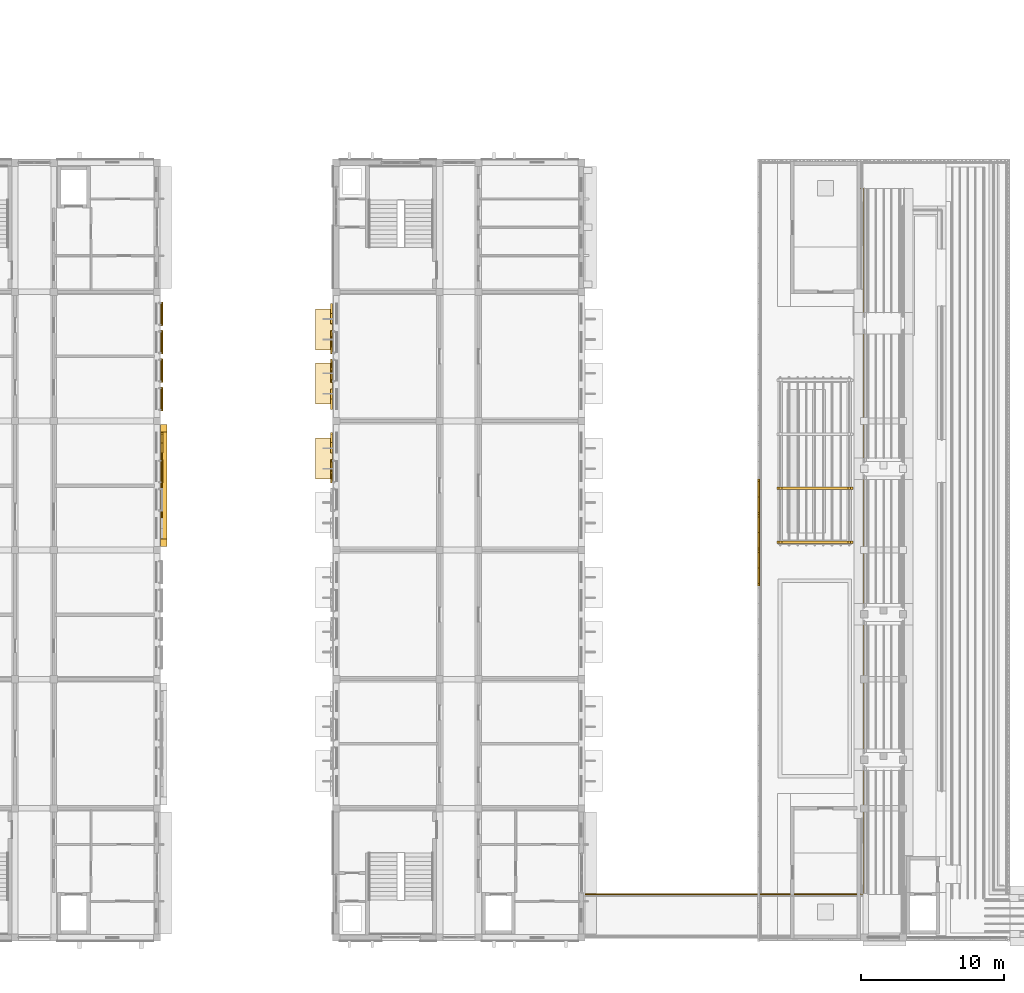
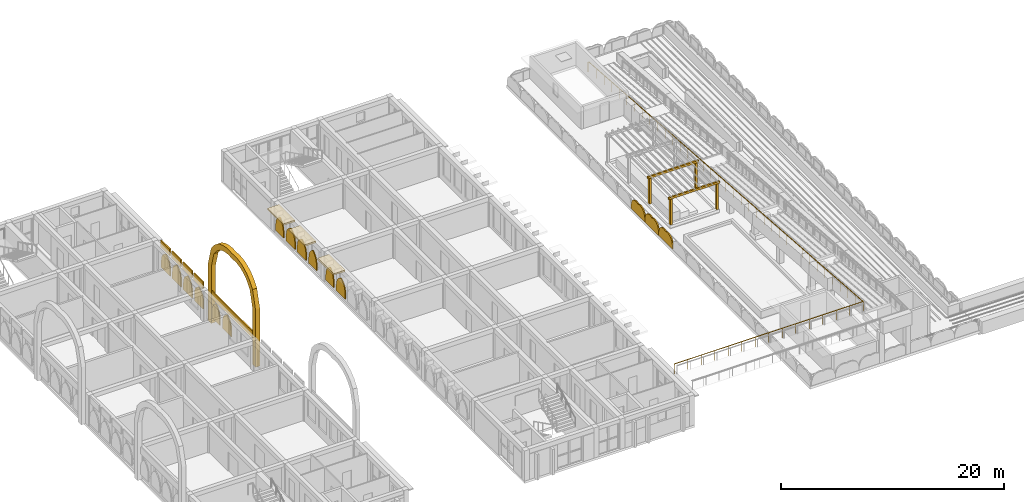
# One storey, part 59 of 65: 15 coverings, 15 shading devices, 1 railing.
"""IFC4 building model written with IfcOpenShell, lengths in metres."""

from ifc_helpers import new_model, si_unit, direction, frame, origin, origin_2d, place, context, subcontext, project, spatial, polyline, rectangle, circle, outline, extrude, material, layer, layer_set, type_object, element, save


model = new_model("IFC4")

# Units and contexts
model_context = context("Model", 3, precision=1e-05, world=origin(), true_north=direction((0.0, 1.0)))
body_context = subcontext(model_context, "Body", "Model", "MODEL_VIEW")
ifc_project = project(units=[si_unit("LENGTHUNIT", "METRE"), si_unit("AREAUNIT", "SQUARE_METRE"), si_unit("VOLUMEUNIT", "CUBIC_METRE"), si_unit("PLANEANGLEUNIT", "RADIAN"), si_unit("MASSUNIT", "GRAM", prefix="KILO")], contexts=[model_context])

# Site, building, storey
site_placement = place(None, origin())
site = spatial("IfcSite", under=ifc_project, at=site_placement, CompositionType="ELEMENT")
building_placement = place(site_placement, origin())
building = spatial("IfcBuilding", under=site, at=building_placement, Name="Elbe Cascade School", CompositionType="ELEMENT")
storey_placement = place(building_placement, frame((0.0, 0.0, 11.699951171875)))
storey = spatial("IfcBuildingStorey", under=building, at=storey_placement, Name="L03", CompositionType="ELEMENT", Elevation=11.699951171875)

# Shading devices
ifc_material_1 = material(Name="Precast concrete C40/50", Category="concrete")
ifc_layer_1 = layer(ifc_material_1, 0.1201171875)
ifc_layer_set_1 = layer_set([ifc_layer_1], Name="Precast concrete C40/50")
shading_device_type_1 = type_object("IfcShadingDeviceType", Name="Bars envelope Attic jali screen, pointed arch top, pierced precast concrete, 1200 high", PredefinedType="USERDEFINED", material=ifc_layer_set_1)
shading_device_1_placement = place(storey_placement, frame((127.97998046875, 30.522705078125, 0.400146484375), z_axis=(-1.0, 0.0, 0.0), x_axis=(0.0, 0.296914729778, 0.954903996871)))
element("IfcShadingDevice", 1, at=shading_device_1_placement, inside=storey, type_object=shading_device_type_1, Name="Attic jali screen SD1 C.L03.w11", ObjectType="JALI", PredefinedType="USERDEFINED", context=body_context, shape_type="SweptSolid", body=[
    extrude(outline(polyline([(0.0, 0.0), (0.5213118135497831, 2.7755575615628914e-17), (0.7307670272254834, 0.09722334288068585), (0.8772044201284606, 0.2137855707816544), (0.9847089596433677, 0.3424534529484574), (1.0619064875388193, 0.48054489831620933), (1.1125270975525943, 0.6269000837217165), (1.1363376588260814, 0.7815914981126785), (1.131545613438091, 0.9454321839293035), (1.2283261334568831, 1.0774345576902884), (1.296431557866498, 1.218353072018325), (1.337726933535825, 1.3676078153318163), (1.3524453913234755, 1.5251262986830632), (1.3368568374916705, 1.692068345235259), (1.2823354302717953, 1.871116046053289), (1.1649411801745964, 2.069968893608824), (0.7355453523079154, 2.365578822327823), (0.3534438750441624, 2.4843882076074792), (-0.382101477263753, 0.11880938527965638), (0.0, 0.0)])), origin(), (0.0, 0.0, -1.0), 0.1201171875),
])
shading_device_2_placement = place(storey_placement, frame((127.97998046875, 33.0, 0.400146484375), z_axis=(-1.0, 0.0, 0.0), x_axis=(0.0, 0.296914729778, 0.954903996871)))
element("IfcShadingDevice", 2, at=shading_device_2_placement, inside=storey, type_object=shading_device_type_1, Name="Attic jali screen SD1 C.L03.w12", ObjectType="JALI", PredefinedType="USERDEFINED", context=body_context, shape_type="SweptSolid", body=[
    extrude(outline(polyline([(0.0, 0.0), (0.5213118135497831, 2.7755575615628914e-17), (0.7307670272254834, 0.09722334288068585), (0.8772044201284606, 0.2137855707816544), (0.9847089596433677, 0.3424534529484574), (1.0619064875388193, 0.48054489831620933), (1.1125270975525943, 0.6269000837217165), (1.1363376588260814, 0.7815914981126785), (1.1314731244903915, 0.9451990530706923), (1.2283261334568831, 1.0774345576902884), (1.296431557866498, 1.218353072018325), (1.337726933535825, 1.3676078153318163), (1.3524453913234755, 1.5251262986830632), (1.3368568374916705, 1.692068345235259), (1.2823354302717953, 1.871116046053289), (1.1649411801745964, 2.069968893608824), (0.7355453523079154, 2.365578822327823), (0.3534438750441624, 2.4843882076074792), (-0.382101477263753, 0.11880938527965638), (0.0, 0.0)])), origin(), (0.0, 0.0, -1.0), 0.1201171875),
])
shading_device_3_placement = place(storey_placement, frame((127.97998046875, 35.477294921875, 0.400146484375), z_axis=(-1.0, 0.0, 0.0), x_axis=(0.0, 0.296914729778, 0.954903996871)))
element("IfcShadingDevice", 3, at=shading_device_3_placement, inside=storey, type_object=shading_device_type_1, Name="Attic jali screen SD1 C.L03.w13", ObjectType="JALI", PredefinedType="USERDEFINED", context=body_context, shape_type="SweptSolid", body=[
    extrude(outline(polyline([(0.0, 0.0), (0.5213118135497831, 2.7755575615628914e-17), (0.7306945382777837, 0.09699021202207464), (0.8772044201284606, 0.2137855707816544), (0.9847089596433677, 0.3424534529484574), (1.0619064875388193, 0.48054489831620933), (1.1125270975525943, 0.6269000837217165), (1.1363376588260814, 0.7815914981126785), (1.1314731244903915, 0.9451990530706923), (1.2282536445091836, 1.0772014268316772), (1.296431557866498, 1.218353072018325), (1.337726933535825, 1.3676078153318163), (1.3524453913234755, 1.5251262986830632), (1.3368568374916705, 1.692068345235259), (1.2824079192194948, 1.8713491769119002), (1.1649411801745964, 2.069968893608824), (0.7355453523079154, 2.365578822327823), (0.3534438750441624, 2.4843882076074792), (-0.382101477263753, 0.11880938527965638), (0.0, 0.0)])), origin(), (0.0, 0.0, -1.0), 0.1201171875),
])
ifc_material_2 = material(Name="Precast concrete C40/50", Category="concrete")
ifc_layer_2 = layer(ifc_material_2, 0.10009765625)
ifc_layer_set_2 = layer_set([ifc_layer_2], Name="Precast concrete C40/50")
shading_device_type_2 = type_object("IfcShadingDeviceType", Name="Bars envelope Jali screen 1400 x 1840, pointed arch rise 1200, pierced precast concrete", PredefinedType="USERDEFINED", material=ifc_layer_set_2)
shading_device_4_placement = place(storey_placement, frame((98.199951171875, 39.77001953125, 1.239990234375), z_axis=(-1.0, 0.0, 0.0), x_axis=(0.0, 0.17792317593, 0.984044380842)))
element("IfcShadingDevice", 4, at=shading_device_4_placement, inside=storey, type_object=shading_device_type_2, Name="Jali screen SD6 B.L03.w4.4", ObjectType="JALI", PredefinedType="USERDEFINED", context=body_context, shape_type="SweptSolid", body=[
    extrude(outline(polyline([(0.0, 0.0), (0.49123641871346896, 0.0), (0.6927805522414701, 0.052626805310662106), (0.8431090177286255, 0.11426571806572286), (0.9656124771118364, 0.18118371597428135), (1.069333371826684, 0.25124965415180983), (1.1586395539315395, 0.3239218888517511), (1.236937894644108, 0.3988325294290419), (1.305342743464475, 0.47528389408648153), (1.26808313808694, 0.5710883451184476), (1.2209300408172035, 0.6684335202305626), (1.1627256638798062, 0.7677768560098606), (1.0901500126077905, 0.8699667335217378), (0.9987917966674117, 0.9753045513025852), (0.8796085746230882, 1.0859214542369302), (0.7092096845379191, 1.2055504646156736), (0.24907507099190854, 1.377566035094913), (-0.38060762485458033, 1.491417754848975), (-0.6296826958464888, 0.11385171975406214), (0.0, 0.0)])), origin(), (0.0, 0.0, -1.0), 0.10009765625),
])
shading_device_5_placement = place(storey_placement, frame((98.199951171875, 42.830078125, 1.239990234375), z_axis=(-1.0, 0.0, 0.0), x_axis=(0.0, 0.17792317593, 0.984044380842)))
element("IfcShadingDevice", 5, at=shading_device_5_placement, inside=storey, type_object=shading_device_type_2, Name="Jali screen SD6 B.L03.w5.1", ObjectType="JALI", PredefinedType="USERDEFINED", context=body_context, shape_type="SweptSolid", body=[
    extrude(outline(polyline([(0.0, 0.0), (0.49123641871346896, 0.0), (0.6927371139660965, 0.05238656010049558), (0.8431090177286255, 0.11426571806572286), (0.9655690388364628, 0.18094347076411482), (1.069333371826684, 0.25124965415180983), (1.1586395539315395, 0.3239218888517511), (1.2368944563687345, 0.3985922842188754), (1.305342743464475, 0.47528389408648153), (1.2680396998115664, 0.5708480999082811), (1.2209300408172035, 0.6684335202305626), (1.1627256638798062, 0.7677768560098606), (1.090106574332417, 0.8697264883115714), (0.9987917966674117, 0.9753045513025852), (0.8795651363477146, 1.0856812090267636), (0.7092096845379191, 1.2055504646156736), (0.24907507099190854, 1.377566035094913), (-0.38060762485458033, 1.491417754848975), (-0.6296826958464888, 0.11385171975406214), (0.0, 0.0)])), origin(), (0.0, 0.0, -1.0), 0.10009765625),
])
shading_device_6_placement = place(storey_placement, frame((98.199951171875, 48.77001953125, 1.239990234375), z_axis=(-1.0, 0.0, 0.0), x_axis=(0.0, 0.17792317593, 0.984044380842)))
element("IfcShadingDevice", 6, at=shading_device_6_placement, inside=storey, type_object=shading_device_type_2, Name="Jali screen SD6 B.L03.w5.4", ObjectType="JALI", PredefinedType="USERDEFINED", context=body_context, shape_type="SweptSolid", body=[
    extrude(outline(polyline([(0.0, 0.0), (0.49123641871346896, 0.0), (0.6927805522414701, 0.052626805310662106), (0.8431090177286255, 0.11426571806572286), (0.9656124771118364, 0.18118371597428135), (1.069333371826684, 0.25124965415180983), (1.1586395539315395, 0.3239218888517511), (1.236937894644108, 0.3988325294290419), (1.305342743464475, 0.47528389408648153), (1.26808313808694, 0.5710883451184476), (1.2209300408172035, 0.6684335202305626), (1.1627256638798062, 0.7677768560098606), (1.0901500126077905, 0.8699667335217378), (0.9987917966674117, 0.9753045513025852), (0.8796085746230882, 1.0859214542369302), (0.7092096845379191, 1.2055504646156736), (0.24907507099190854, 1.377566035094913), (-0.38060762485458033, 1.491417754848975), (-0.6296826958464888, 0.11385171975406214), (0.0, 0.0)])), origin(), (0.0, 0.0, -1.0), 0.10009765625),
])
ifc_material_3 = material(Name="Precast concrete C40/50", Category="concrete")
ifc_layer_3 = layer(ifc_material_3, 0.10009765625)
ifc_layer_set_3 = layer_set([ifc_layer_3], Name="Precast concrete C40/50")
shading_device_type_3 = type_object("IfcShadingDeviceType", Name="Bars envelope Jali screen 1400 x 1940, pointed arch rise 1200, pierced precast concrete", PredefinedType="USERDEFINED", material=ifc_layer_set_3)
shading_device_7_placement = place(storey_placement, frame((86.5, 39.77001953125, 0.60009765625), z_axis=(1.0, 0.0, 0.0), x_axis=(0.0, 1.0, 0.0)))
element("IfcShadingDevice", 7, at=shading_device_7_placement, inside=storey, type_object=shading_device_type_3, Name="Jali screen SD5 A.L03.e4.4", ObjectType="JALI", PredefinedType="USERDEFINED", context=body_context, shape_type="SweptSolid", body=[
    extrude(outline(polyline([(0.0, 0.0), (1.39990234375, 0.0), (1.39990234375, 0.739990234375), (1.3125, 1.22314453125), (1.22509765625, 1.412109375), (1.137451171875, 1.549072265625), (1.050048828125, 1.657958984375), (0.96240234375, 1.747314453125), (0.875, 1.822509765625), (0.78759765625, 1.885986328125), (0.699951171875, 1.93994140625), (0.612548828125, 1.885986328125), (0.52490234375, 1.822509765625), (0.4375, 1.747314453125), (0.35009765625, 1.657958984375), (0.262451171875, 1.549072265625), (0.175048828125, 1.412109375), (0.08740234375, 1.22314453125), (0.0, 0.739990234375), (0.0, 0.0)])), origin(), (0.0, 0.0, -1.0), 0.10009765625),
])
ifc_material_4 = material(Name="Precast concrete C40/50", Category="concrete")
ifc_layer_4 = layer(ifc_material_4, 0.10009765625)
ifc_layer_set_4 = layer_set([ifc_layer_4], Name="Precast concrete C40/50")
shading_device_type_4 = type_object("IfcShadingDeviceType", Name="Bars envelope Jali screen 1600 x 1840, pointed arch rise 1200, pierced precast concrete", PredefinedType="USERDEFINED", material=ifc_layer_set_4)
for number, where, z_axis, x_axis, name in (
    (8, (98.199951171875, 37.68994140625, 1.239990234375), (-1.0, 0.0, 0.0), (0.0, 0.196300278283, 0.98054382908), "Jali screen SD7 B.L03.w4.3"),
    (9, (98.199951171875, 44.7099609375, 1.239990234375), (-1.0, 0.0, 0.0), (0.0, 0.196300278283, 0.98054382908), "Jali screen SD7 B.L03.w5.2"),
    (10, (98.199951171875, 46.68994140625, 1.239990234375), (-1.0, 0.0, 0.0), (0.0, 0.196300278283, 0.98054382908), "Jali screen SD7 B.L03.w5.3"),
):
    element("IfcShadingDevice", number, at=place(storey_placement, frame(where, z_axis=z_axis, x_axis=x_axis)), inside=storey, type_object=shading_device_type_4, Name=name, ObjectType="JALI", PredefinedType="USERDEFINED", context=body_context, shape_type="SweptSolid", body=[
        extrude(outline(polyline([(0.0, 0.0), (0.509921112317134, 0.0), (0.7186409460062186, 0.06005009918221829), (0.8735458233318658, 0.1311226852889124), (0.9985268777485877, 0.20818588047405348), (1.102872417131342, 0.2891312241218946), (1.1919448840573539, 0.37338315020117196), (1.268281725197354, 0.45993570394643946), (1.3336545243794973, 0.5489321924158467), (1.3075801207519657, 0.6562359822289878), (1.270445825421322, 0.7655049255997259), (1.220671754049922, 0.877553277802997), (1.1555287604765243, 0.9924294312711612), (1.069846101614414, 1.1116665143685687), (0.9542396198433787, 1.2368942065444228), (0.7847223319636507, 1.37266560447821), (0.31409961520112845, 1.5689658827607584), (-0.3133431035532121, 1.6945769739176333), (-0.6274427187543405, 0.12561109115687483), (0.0, 0.0)])), origin(), (0.0, 0.0, -1.0), 0.10009765625),
    ])
ifc_material_5 = material(Name="Precast concrete C40/50", Category="concrete")
ifc_layer_5 = layer(ifc_material_5, 0.10009765625)
ifc_layer_set_5 = layer_set([ifc_layer_5], Name="Precast concrete C40/50")
shading_device_type_5 = type_object("IfcShadingDeviceType", Name="Bars envelope Jali screen 1600 x 1940, pointed arch rise 1200, pierced precast concrete", PredefinedType="USERDEFINED", material=ifc_layer_set_5)
shading_device_8_placement = place(storey_placement, frame((86.5, 37.68994140625, 0.60009765625), z_axis=(1.0, 0.0, 0.0), x_axis=(0.0, 1.0, 0.0)))
element("IfcShadingDevice", 11, at=shading_device_8_placement, inside=storey, type_object=shading_device_type_5, Name="Jali screen SD4 A.L03.e4.3", ObjectType="JALI", PredefinedType="USERDEFINED", context=body_context, shape_type="SweptSolid", body=[
    extrude(outline(polyline([(0.0, 0.0), (1.60009765625, 0.0), (1.60009765625, 0.739990234375), (1.5, 1.239990234375), (1.400146484375, 1.432861328125), (1.300048828125, 1.570556640625), (1.199951171875, 1.677978515625), (1.10009765625, 1.7646484375), (1.0, 1.83544921875), (0.900146484375, 1.893310546875), (0.800048828125, 1.93994140625), (0.699951171875, 1.893310546875), (0.60009765625, 1.83544921875), (0.5, 1.7646484375), (0.400146484375, 1.677978515625), (0.300048828125, 1.570556640625), (0.199951171875, 1.432861328125), (0.10009765625, 1.239990234375), (0.0, 0.739990234375), (0.0, 0.0)])), origin(), (0.0, 0.0, -1.0), 0.10009765625),
])
shading_device_9_placement = place(storey_placement, frame((86.5, 42.72998046875, 0.60009765625), z_axis=(1.0, 0.0, 0.0), x_axis=(0.0, 1.0, 0.0)))
element("IfcShadingDevice", 12, at=shading_device_9_placement, inside=storey, type_object=shading_device_type_5, Name="Jali screen SD4 A.L03.e5.1", ObjectType="JALI", PredefinedType="USERDEFINED", context=body_context, shape_type="SweptSolid", body=[
    extrude(outline(polyline([(0.0, 0.0), (1.60009765625, 0.0), (1.60009765625, 0.739990234375), (1.5, 1.239990234375), (1.39990234375, 1.432861328125), (1.300048828125, 1.570556640625), (1.199951171875, 1.677978515625), (1.10009765625, 1.7646484375), (1.0, 1.83544921875), (0.89990234375, 1.893310546875), (0.800048828125, 1.93994140625), (0.699951171875, 1.893310546875), (0.60009765625, 1.83544921875), (0.5, 1.7646484375), (0.39990234375, 1.677978515625), (0.300048828125, 1.570556640625), (0.199951171875, 1.432861328125), (0.10009765625, 1.239990234375), (0.0, 0.739990234375), (0.0, 0.0)])), origin(), (0.0, 0.0, -1.0), 0.10009765625),
])
for number, where, z_axis, x_axis, name in (
    (13, (86.5, 44.7099609375, 0.60009765625), (1.0, 0.0, 0.0), (0.0, 1.0, 0.0), "Jali screen SD4 A.L03.e5.2"),
    (14, (86.5, 46.68994140625, 0.60009765625), (1.0, 0.0, 0.0), (0.0, 1.0, 0.0), "Jali screen SD4 A.L03.e5.3"),
):
    element("IfcShadingDevice", number, at=place(storey_placement, frame(where, z_axis=z_axis, x_axis=x_axis)), inside=storey, type_object=shading_device_type_5, Name=name, ObjectType="JALI", PredefinedType="USERDEFINED", context=body_context, shape_type="SweptSolid", body=[
        extrude(outline(polyline([(0.0, 0.0), (1.60009765625, 0.0), (1.60009765625, 0.739990234375), (1.5, 1.239990234375), (1.400146484375, 1.432861328125), (1.300048828125, 1.570556640625), (1.199951171875, 1.677978515625), (1.10009765625, 1.7646484375), (1.0, 1.83544921875), (0.900146484375, 1.893310546875), (0.800048828125, 1.93994140625), (0.699951171875, 1.893310546875), (0.60009765625, 1.83544921875), (0.5, 1.7646484375), (0.400146484375, 1.677978515625), (0.300048828125, 1.570556640625), (0.199951171875, 1.432861328125), (0.10009765625, 1.239990234375), (0.0, 0.739990234375), (0.0, 0.0)])), origin(), (0.0, 0.0, -1.0), 0.10009765625),
    ])
shading_device_10_placement = place(storey_placement, frame((86.5, 48.669921875, 0.60009765625), z_axis=(1.0, 0.0, 0.0), x_axis=(0.0, 1.0, 0.0)))
element("IfcShadingDevice", 15, at=shading_device_10_placement, inside=storey, type_object=shading_device_type_5, Name="Jali screen SD4 A.L03.e5.4", ObjectType="JALI", PredefinedType="USERDEFINED", context=body_context, shape_type="SweptSolid", body=[
    extrude(outline(polyline([(0.0, 0.0), (1.60009765625, 0.0), (1.60009765625, 0.739990234375), (1.5, 1.239990234375), (1.400146484375, 1.432861328125), (1.300048828125, 1.570556640625), (1.2001953125, 1.677978515625), (1.10009765625, 1.7646484375), (1.0, 1.83544921875), (0.900146484375, 1.893310546875), (0.800048828125, 1.93994140625), (0.7001953125, 1.893310546875), (0.60009765625, 1.83544921875), (0.5, 1.7646484375), (0.400146484375, 1.677978515625), (0.300048828125, 1.570556640625), (0.2001953125, 1.432861328125), (0.10009765625, 1.239990234375), (0.0, 0.739990234375), (0.0, 0.0)])), origin(), (0.0, 0.0, -1.0), 0.10009765625),
])

# Coverings
ifc_material_6 = material(Name="Sandstone - red", Category="masonry")
covering_type_1 = type_object("IfcCoveringType", Name="Bars envelope Sandstone arch frame single, 8500 wide, 450 deep", PredefinedType="CLADDING", material=ifc_material_6)
covering_1_placement = place(storey_placement, frame((86.800048828125, 33.830078125, 0.0), z_axis=(1.0, 0.0, 0.0), x_axis=(0.0, 0.0, 1.0)))
element("IfcCovering", 16, at=covering_1_placement, inside=storey, type_object=covering_type_1, Name="Arch frame CV52 A.L03.e4", PredefinedType="CLADDING", context=body_context, shape_type="SweptSolid", body=[
    extrude(outline(polyline([(0.0, 0.0), (6.300048828125, 0.0), (7.91650390625, -0.458740234375), (8.4921875, -0.91748046875), (8.86474609375, -1.376220703125), (9.11572265625, -1.8349609375), (9.276123046875, -2.293701171875), (9.3603515625, -2.75244140625), (9.374755859375, -3.211181640625), (9.320068359375, -3.669921875), (9.374755859375, -4.128662109375), (9.3603515625, -4.58740234375), (9.276123046875, -5.046142578125), (9.11572265625, -5.5048828125), (8.86474609375, -5.963623046875), (8.4921875, -6.42236328125), (7.91650390625, -6.881103515625), (6.300048828125, -7.33984375), (0.0, -7.33984375), (0.0, -7.919921875), (6.300048828125, -7.919921875), (8.1962890625, -7.388671875), (8.874267578125, -6.857421875), (9.3154296875, -6.326171875), (9.615966796875, -5.794921875), (9.81201171875, -5.263671875), (9.92041015625, -4.732421875), (9.94921875, -4.201171875), (9.900146484375, -3.669921875), (9.94921875, -3.138671875), (9.92041015625, -2.607421875), (9.81201171875, -2.076171875), (9.615966796875, -1.544921875), (9.3154296875, -1.013671875), (8.874267578125, -0.482421875), (8.1962890625, 0.048828125), (6.300048828125, 0.580078125), (0.0, 0.580078125), (0.0, 0.0)])), origin(), (0.0, 0.0, -1.0), 0.449951171875),
])
ifc_material_7 = material(Name="Sandstone - red", Category="masonry")
covering_type_2 = type_object("IfcCoveringType", Name="Bars envelope Sandstone chhajja slab, 1200 deep", PredefinedType="CLADDING", material=ifc_material_7)
for number, where, z_axis, x_axis, name in (
    (17, (97.75, 39.392578125, 3.419921875), (0.0, 0.0, 1.0), (0.0, 1.0, 0.0), "Chhajja slab CV61 B.L03.w3.2"),
    (18, (97.75, 44.607421875, 3.419921875), (0.0, 0.0, 1.0), (0.0, 1.0, 0.0), "Chhajja slab CV61 B.L03.w4.1"),
    (19, (97.75, 48.392578125, 3.419921875), (0.0, 0.0, 1.0), (0.0, 1.0, 0.0), "Chhajja slab CV61 B.L03.w4.2"),
):
    element("IfcCovering", number, at=place(storey_placement, frame(where, z_axis=z_axis, x_axis=x_axis)), inside=storey, type_object=covering_type_2, Name=name, PredefinedType="CLADDING", context=body_context, shape_type="SweptSolid", body=[
        extrude(rectangle(XDim=2.85498046875, YDim=1.199951171875, at=origin_2d()), origin(), (0.0, 0.0, 1.0), 0.179931640625),
    ])
ifc_material_8 = material(Name="Sandstone - red", Category="masonry")
covering_type_3 = type_object("IfcCoveringType", Name="Bars envelope Sandstone spandrel band, 120 deep", PredefinedType="CLADDING", material=ifc_material_8)
covering_2_placement = place(storey_placement, frame((86.409912109375, 37.5, 2.85009765625), z_axis=(0.0, 0.0, 1.0), x_axis=(0.0, 1.0, 0.0)))
element("IfcCovering", 20, at=covering_2_placement, inside=storey, type_object=covering_type_3, Name="Spandrel band CV53 A.L03.e3.1", PredefinedType="CLADDING", context=body_context, shape_type="SweptSolid", body=[
    extrude(rectangle(XDim=7.340087890625, YDim=0.1201171875, at=origin_2d()), origin(), (0.0, 0.0, 1.0), 0.75),
])
for number, where, z_axis, x_axis, name in (
    (21, (86.409912109375, 43.530029296875, 2.85009765625), (0.0, 0.0, 1.0), (0.0, 1.0, 0.0), "Spandrel band CV53 A.L03.e4.1"),
    (22, (86.409912109375, 45.510009765625, 2.85009765625), (0.0, 0.0, 1.0), (0.0, 1.0, 0.0), "Spandrel band CV53 A.L03.e4.2"),
    (23, (86.409912109375, 47.489990234375, 2.85009765625), (0.0, 0.0, 1.0), (0.0, 1.0, 0.0), "Spandrel band CV53 A.L03.e4.3"),
    (24, (86.409912109375, 49.469970703125, 2.85009765625), (0.0, 0.0, 1.0), (0.0, 1.0, 0.0), "Spandrel band CV53 A.L03.e4.4"),
):
    element("IfcCovering", number, at=place(storey_placement, frame(where, z_axis=z_axis, x_axis=x_axis)), inside=storey, type_object=covering_type_3, Name=name, PredefinedType="CLADDING", context=body_context, shape_type="SweptSolid", body=[
        extrude(rectangle(XDim=1.639892578125, YDim=0.1201171875, at=origin_2d()), origin(), (0.0, 0.0, 1.0), 0.75),
    ])
ifc_material_9 = material(Name="Steel S355J2H, hot-dip galvanised", Category="steel")
covering_type_4 = type_object("IfcCoveringType", Name="Pergola beam 160x220", PredefinedType="USERDEFINED", material=ifc_material_9)
covering_3_placement = place(storey_placement, frame((0.0, 0.0, 3.16015625)))
element("IfcCovering", 25, at=covering_3_placement, inside=storey, type_object=covering_type_4, Name="Pergola C.w2 beam 1", ObjectType="PERGOLA BEAM", PredefinedType="USERDEFINED", context=body_context, shape_type="SweptSolid", body=[
    extrude(outline(polyline([(129.300048828125, 33.469970703125), (134.60009765625, 33.469970703125), (134.60009765625, 33.6298828125), (129.300048828125, 33.6298828125), (129.300048828125, 33.469970703125)])), origin(), (0.0, 0.0, 1.0), 0.219970703125),
])
covering_4_placement = place(storey_placement, frame((0.0, 0.0, 3.16015625)))
element("IfcCovering", 26, at=covering_4_placement, inside=storey, type_object=covering_type_4, Name="Pergola C.w2 beam 2", ObjectType="PERGOLA BEAM", PredefinedType="USERDEFINED", context=body_context, shape_type="SweptSolid", body=[
    extrude(outline(polyline([(129.300048828125, 37.23681640625), (134.60009765625, 37.23681640625), (134.60009765625, 37.396728515625), (129.300048828125, 37.396728515625), (129.300048828125, 37.23681640625)])), origin(), (0.0, 0.0, 1.0), 0.219970703125),
])
ifc_material_10 = material(Name="Steel S355J2H, hot-dip galvanised", Category="steel")
covering_type_5 = type_object("IfcCoveringType", Name="Pergola post 200x2800", PredefinedType="USERDEFINED", material=ifc_material_10)
covering_5_placement = place(storey_placement, frame((0.0, 0.0, 0.360107421875)))
element("IfcCovering", 27, at=covering_5_placement, inside=storey, type_object=covering_type_5, Name="Pergola C.w2 post 1w", ObjectType="PERGOLA POST", PredefinedType="USERDEFINED", context=body_context, shape_type="SweptSolid", body=[
    extrude(outline(polyline([(129.449951171875, 33.449951171875), (129.64990234375, 33.449951171875), (129.64990234375, 33.64990234375), (129.449951171875, 33.64990234375), (129.449951171875, 33.449951171875)])), origin(), (0.0, 0.0, 1.0), 2.800048828125),
])
covering_6_placement = place(storey_placement, frame((0.0, 0.0, 0.360107421875)))
element("IfcCovering", 28, at=covering_6_placement, inside=storey, type_object=covering_type_5, Name="Pergola C.w2 post 1e", ObjectType="PERGOLA POST", PredefinedType="USERDEFINED", context=body_context, shape_type="SweptSolid", body=[
    extrude(outline(polyline([(134.25, 33.449951171875), (134.449951171875, 33.449951171875), (134.449951171875, 33.64990234375), (134.25, 33.64990234375), (134.25, 33.449951171875)])), origin(), (0.0, 0.0, 1.0), 2.800048828125),
])
covering_7_placement = place(storey_placement, frame((0.0, 0.0, 0.360107421875)))
element("IfcCovering", 29, at=covering_7_placement, inside=storey, type_object=covering_type_5, Name="Pergola C.w2 post 2w", ObjectType="PERGOLA POST", PredefinedType="USERDEFINED", context=body_context, shape_type="SweptSolid", body=[
    extrude(outline(polyline([(129.449951171875, 37.216796875), (129.64990234375, 37.216796875), (129.64990234375, 37.416748046875), (129.449951171875, 37.416748046875), (129.449951171875, 37.216796875)])), origin(), (0.0, 0.0, 1.0), 2.800048828125),
])
covering_8_placement = place(storey_placement, frame((0.0, 0.0, 0.360107421875)))
element("IfcCovering", 30, at=covering_8_placement, inside=storey, type_object=covering_type_5, Name="Pergola C.w2 post 2e", ObjectType="PERGOLA POST", PredefinedType="USERDEFINED", context=body_context, shape_type="SweptSolid", body=[
    extrude(outline(polyline([(134.25, 37.216796875), (134.449951171875, 37.216796875), (134.449951171875, 37.416748046875), (134.25, 37.416748046875), (134.25, 37.216796875)])), origin(), (0.0, 0.0, 1.0), 2.800048828125),
])

# Railing
ifc_material_11 = material(Name="Steel S355J2H", Category="steel")
railing_type = type_object("IfcRailingType", Name="Track guard 1100", PredefinedType="GUARDRAIL", material=ifc_material_11)
railing_placement = place(storey_placement, frame((115.741943359375, 9.0, 3.719970703125)))
element("IfcRailing", 31, at=railing_placement, inside=storey, type_object=railing_type, Name="Track guard RL4 B-C north and west", PredefinedType="GUARDRAIL", context=body_context, shape_type="SweptSolid", body=[
    extrude(circle(Radius=0.0400390625, at=origin_2d()), frame((0.0, 0.0, 1.06005859375), z_axis=(1.0, 0.0, 0.0), x_axis=(0.0, 1.0, 0.0)), (0.0, 0.0, 1.0), 19.55810546875),
    extrude(circle(Radius=0.0400390625, at=origin_2d()), frame((19.55810546875, 0.0, 1.06005859375), z_axis=(0.0, 0.997333934432, -0.072972756773), x_axis=(-1.0, 0.0, 0.0)), (0.0, 0.0, 1.0), 49.33154296875),
    extrude(circle(Radius=0.0400390625, at=origin_2d()), frame((19.55810546875, 49.199951171875, -2.539794921875), z_axis=(-1.0, 0.0, 0.0), x_axis=(0.0, -1.0, 0.0)), (0.0, 0.0, 1.0), 0.129150390625),
    extrude(circle(Radius=0.02099609375, at=origin_2d()), origin(), (0.0, 0.0, 1.0), 1.02001953125),
    extrude(circle(Radius=0.02099609375, at=origin_2d()), frame((1.39697265625, 0.0, 0.0)), (0.0, 0.0, 1.0), 1.02001953125),
    extrude(circle(Radius=0.02099609375, at=origin_2d()), frame((2.7939453125, 0.0, 0.0)), (0.0, 0.0, 1.0), 1.02001953125),
    extrude(circle(Radius=0.02099609375, at=origin_2d()), frame((4.19091796875, 0.0, 0.0)), (0.0, 0.0, 1.0), 1.02001953125),
    extrude(circle(Radius=0.02099609375, at=origin_2d()), frame((5.588134765625, 0.0, 0.0)), (0.0, 0.0, 1.0), 1.02001953125),
    extrude(circle(Radius=0.02099609375, at=origin_2d()), frame((6.985107421875, 0.0, 0.0)), (0.0, 0.0, 1.0), 1.02001953125),
    extrude(circle(Radius=0.02099609375, at=origin_2d()), frame((8.382080078125, 0.0, 0.0)), (0.0, 0.0, 1.0), 1.02001953125),
    extrude(circle(Radius=0.02099609375, at=origin_2d()), frame((9.779052734375, 0.0, 0.0)), (0.0, 0.0, 1.0), 1.02001953125),
    extrude(circle(Radius=0.02099609375, at=origin_2d()), frame((11.176025390625, 0.0, 0.0)), (0.0, 0.0, 1.0), 1.02001953125),
    extrude(circle(Radius=0.02099609375, at=origin_2d()), frame((12.572998046875, 0.0, 0.0)), (0.0, 0.0, 1.0), 1.02001953125),
    extrude(circle(Radius=0.02099609375, at=origin_2d()), frame((13.969970703125, 0.0, 0.0)), (0.0, 0.0, 1.0), 1.02001953125),
    extrude(circle(Radius=0.02099609375, at=origin_2d()), frame((15.3671875, 0.0, 0.0)), (0.0, 0.0, 1.0), 1.02001953125),
    extrude(circle(Radius=0.02099609375, at=origin_2d()), frame((16.76416015625, 0.0, 0.0)), (0.0, 0.0, 1.0), 1.02001953125),
    extrude(circle(Radius=0.02099609375, at=origin_2d()), frame((18.1611328125, 0.0, 0.0)), (0.0, 0.0, 1.0), 1.02001953125),
    extrude(circle(Radius=0.02099609375, at=origin_2d()), frame((19.55810546875, 0.0, 0.0)), (0.0, 0.0, 1.0), 1.02001953125),
    extrude(circle(Radius=0.02099609375, at=origin_2d()), frame((19.55810546875, 1.36669921875, -0.10009765625)), (0.0, 0.0, 1.0), 1.02001953125),
    extrude(circle(Radius=0.02099609375, at=origin_2d()), frame((19.55810546875, 2.7333984375, -0.199951171875)), (0.0, 0.0, 1.0), 1.02001953125),
    extrude(circle(Radius=0.02099609375, at=origin_2d()), frame((19.55810546875, 4.10009765625, -0.300048828125)), (0.0, 0.0, 1.0), 1.02001953125),
    extrude(circle(Radius=0.02099609375, at=origin_2d()), frame((19.55810546875, 5.466552734375, -0.39990234375)), (0.0, 0.0, 1.0), 1.02001953125),
    extrude(circle(Radius=0.02099609375, at=origin_2d()), frame((19.55810546875, 6.833251953125, -0.5)), (0.0, 0.0, 1.0), 1.02001953125),
    extrude(circle(Radius=0.02099609375, at=origin_2d()), frame((19.55810546875, 8.199951171875, -0.60009765625)), (0.0, 0.0, 1.0), 1.02001953125),
    extrude(circle(Radius=0.02099609375, at=origin_2d()), frame((19.55810546875, 9.566650390625, -0.699951171875)), (0.0, 0.0, 1.0), 1.02001953125),
    extrude(circle(Radius=0.02099609375, at=origin_2d()), frame((19.55810546875, 10.933349609375, -0.800048828125)), (0.0, 0.0, 1.0), 1.02001953125),
    extrude(circle(Radius=0.02099609375, at=origin_2d()), frame((19.55810546875, 12.300048828125, -0.89990234375)), (0.0, 0.0, 1.0), 1.02001953125),
    extrude(circle(Radius=0.02099609375, at=origin_2d()), frame((19.55810546875, 13.666748046875, -1.0)), (0.0, 0.0, 1.0), 1.02001953125),
    extrude(circle(Radius=0.02099609375, at=origin_2d()), frame((19.55810546875, 15.033203125, -1.099853515625)), (0.0, 0.0, 1.0), 1.02001953125),
    extrude(circle(Radius=0.02099609375, at=origin_2d()), frame((19.55810546875, 16.39990234375, -1.199951171875)), (0.0, 0.0, 1.0), 1.02001953125),
    extrude(circle(Radius=0.02099609375, at=origin_2d()), frame((19.55810546875, 17.7666015625, -1.300048828125)), (0.0, 0.0, 1.0), 1.02001953125),
    extrude(circle(Radius=0.02099609375, at=origin_2d()), frame((19.55810546875, 19.13330078125, -1.39990234375)), (0.0, 0.0, 1.0), 1.02001953125),
    extrude(circle(Radius=0.02099609375, at=origin_2d()), frame((19.55810546875, 20.5, -1.5)), (0.0, 0.0, 1.0), 1.02001953125),
    extrude(circle(Radius=0.02099609375, at=origin_2d()), frame((19.55810546875, 21.86669921875, -1.599853515625)), (0.0, 0.0, 1.0), 1.02001953125),
    extrude(circle(Radius=0.02099609375, at=origin_2d()), frame((19.55810546875, 23.2333984375, -1.699951171875)), (0.0, 0.0, 1.0), 1.02001953125),
    extrude(circle(Radius=0.02099609375, at=origin_2d()), frame((19.55810546875, 24.60009765625, -1.7998046875)), (0.0, 0.0, 1.0), 1.02001953125),
    extrude(circle(Radius=0.02099609375, at=origin_2d()), frame((19.55810546875, 25.966552734375, -1.89990234375)), (0.0, 0.0, 1.0), 1.02001953125),
    extrude(circle(Radius=0.02099609375, at=origin_2d()), frame((19.55810546875, 27.333251953125, -2.0)), (0.0, 0.0, 1.0), 1.02001953125),
    extrude(circle(Radius=0.02099609375, at=origin_2d()), frame((19.55810546875, 28.699951171875, -2.099853515625)), (0.0, 0.0, 1.0), 1.02001953125),
    extrude(circle(Radius=0.02099609375, at=origin_2d()), frame((19.55810546875, 30.066650390625, -2.199951171875)), (0.0, 0.0, 1.0), 1.02001953125),
    extrude(circle(Radius=0.02099609375, at=origin_2d()), frame((19.55810546875, 31.433349609375, -2.2998046875)), (0.0, 0.0, 1.0), 1.02001953125),
    extrude(circle(Radius=0.02099609375, at=origin_2d()), frame((19.55810546875, 32.800048828125, -2.39990234375)), (0.0, 0.0, 1.0), 1.02001953125),
    extrude(circle(Radius=0.02099609375, at=origin_2d()), frame((19.55810546875, 34.166748046875, -2.5)), (0.0, 0.0, 1.0), 1.02001953125),
    extrude(circle(Radius=0.02099609375, at=origin_2d()), frame((19.55810546875, 35.533203125, -2.599853515625)), (0.0, 0.0, 1.0), 1.02001953125),
    extrude(circle(Radius=0.02099609375, at=origin_2d()), frame((19.55810546875, 36.89990234375, -2.699951171875)), (0.0, 0.0, 1.0), 1.02001953125),
    extrude(circle(Radius=0.02099609375, at=origin_2d()), frame((19.55810546875, 38.2666015625, -2.7998046875)), (0.0, 0.0, 1.0), 1.02001953125),
    extrude(circle(Radius=0.02099609375, at=origin_2d()), frame((19.55810546875, 39.63330078125, -2.89990234375)), (0.0, 0.0, 1.0), 1.02001953125),
    extrude(circle(Radius=0.02099609375, at=origin_2d()), frame((19.55810546875, 41.0, -3.0)), (0.0, 0.0, 1.0), 1.02001953125),
    extrude(circle(Radius=0.02099609375, at=origin_2d()), frame((19.55810546875, 42.36669921875, -3.099853515625)), (0.0, 0.0, 1.0), 1.02001953125),
    extrude(circle(Radius=0.02099609375, at=origin_2d()), frame((19.55810546875, 43.7333984375, -3.199951171875)), (0.0, 0.0, 1.0), 1.02001953125),
    extrude(circle(Radius=0.02099609375, at=origin_2d()), frame((19.55810546875, 45.099853515625, -3.2998046875)), (0.0, 0.0, 1.0), 1.02001953125),
    extrude(circle(Radius=0.02099609375, at=origin_2d()), frame((19.55810546875, 46.466552734375, -3.39990234375)), (0.0, 0.0, 1.0), 1.02001953125),
    extrude(circle(Radius=0.02099609375, at=origin_2d()), frame((19.55810546875, 47.833251953125, -3.499755859375)), (0.0, 0.0, 1.0), 1.02001953125),
    extrude(circle(Radius=0.02099609375, at=origin_2d()), frame((19.55810546875, 49.199951171875, -3.599853515625)), (0.0, 0.0, 1.0), 1.02001953125),
    extrude(circle(Radius=0.02099609375, at=origin_2d()), frame((19.428955078125, 49.199951171875, -3.599853515625)), (0.0, 0.0, 1.0), 1.02001953125),
])

save(model, "model.ifc")
